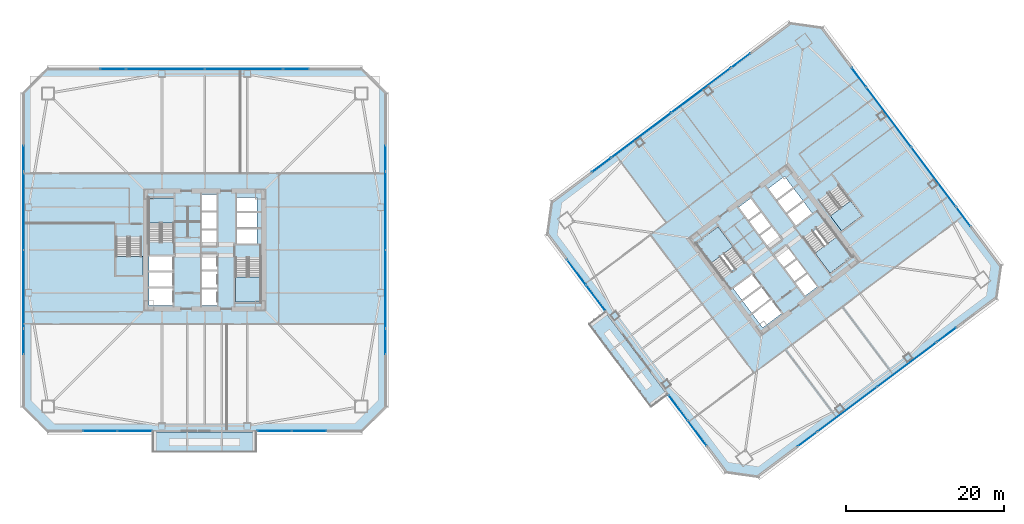
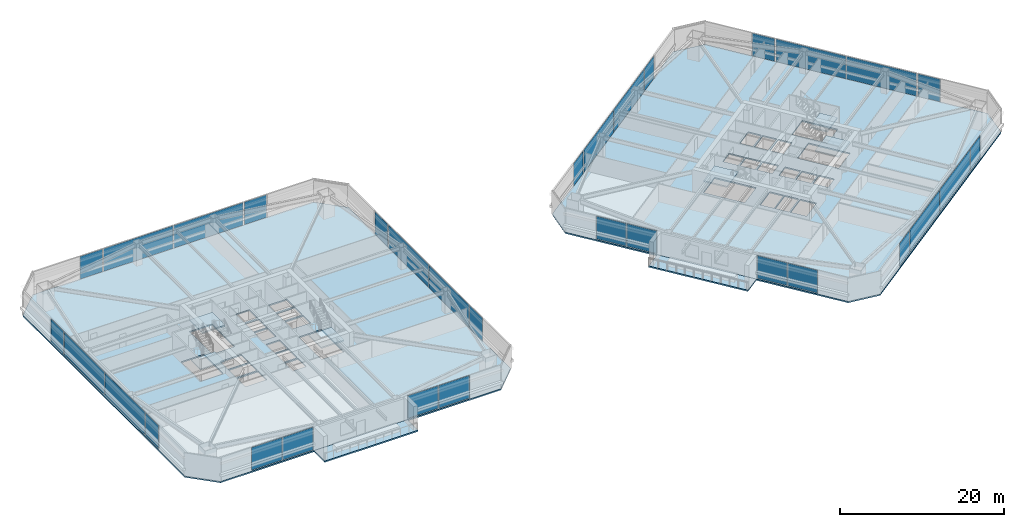
# One storey, part 35 of 46: 32 plates, 10 slabs, 28 elements without a shape of their own.
"""IFC4 building model written with IfcOpenShell, lengths in metres."""

from ifc_helpers import new_model, si_unit, direction, frame, origin, origin_2d, place, context, subcontext, project, spatial, polyline, rectangle, outline, extrude, material, layer, layer_set, type_object, element, aggregate, save


model = new_model("IFC4")

# Units and contexts
model_context = context("Model", 3, precision=1e-05, world=origin(), true_north=direction((0.0, 1.0)))
body_context = subcontext(model_context, "Body", "Model", "MODEL_VIEW")
ifc_project = project(units=[si_unit("LENGTHUNIT", "METRE"), si_unit("AREAUNIT", "SQUARE_METRE"), si_unit("VOLUMEUNIT", "CUBIC_METRE"), si_unit("PLANEANGLEUNIT", "RADIAN"), si_unit("MASSUNIT", "GRAM", prefix="KILO")], contexts=[model_context])

# Site, building, storey
site_placement = place(None, origin())
site = spatial("IfcSite", under=ifc_project, at=site_placement, CompositionType="ELEMENT")
building_placement = place(site_placement, origin())
building = spatial("IfcBuilding", under=site, at=building_placement, Name="Tashvorn Skyway Center", CompositionType="ELEMENT")
storey_placement = place(building_placement, frame((0.0, 0.0, 60.10009765625)))
storey = spatial("IfcBuildingStorey", under=building, at=storey_placement, Name="L15", CompositionType="ELEMENT", Elevation=60.10009765625)

# Curtain wall, plates
ifc_material_1 = material(Name="Thermally broken bronze-anodized aluminium 6063-T6", Category="aluminium")
curtain_wall_type = type_object("IfcCurtainWallType", Name="CW-CW-Z1", PredefinedType="NOTDEFINED", material=ifc_material_1)
curtain_wall_1_placement = place(storey_placement, origin())
curtain_wall_1 = element("IfcCurtainWall", 1, at=curtain_wall_1_placement, inside=storey, type_object=curtain_wall_type, Name="Tower 1 L15 South Curtain Wall L Glazing Group 1", PredefinedType="NOTDEFINED")
ifc_material_2 = material(Name="Low-E solar-control double insulating safety glass", Category="glass")
ifc_layer_1 = layer(ifc_material_2, 0.048095703125)
ifc_layer_set_1 = layer_set([ifc_layer_1], Name="Low-E solar-control double insulating safety glass")
plate_type = type_object("IfcPlateType", Name="CWP-CW-Z1", PredefinedType="CURTAIN_PANEL", material=ifc_layer_set_1)
plate_1_placement = place(storey_placement, frame((55.21875, 9.1201171875, 0.0849609375), z_axis=(0.0, 0.0, 1.0), x_axis=(-1.0, 0.0, 0.0)))
plate_1 = element("IfcPlate", 2, at=plate_1_placement, type_object=plate_type, Name="CW-Z1 panel 1.1", PredefinedType="CURTAIN_PANEL", context=body_context, shape_type="SweptSolid", body=[
    extrude(rectangle(XDim=4.299072265625, YDim=0.048095703125, at=origin_2d()), origin(), (0.0, 0.0, 1.0), 3.3798828125),
])
plate_2_placement = place(storey_placement, frame((50.83447265625, 9.1201171875, 0.0849609375), z_axis=(0.0, 0.0, 1.0), x_axis=(-1.0, 0.0, 0.0)))
plate_2 = element("IfcPlate", 3, at=plate_2_placement, type_object=plate_type, Name="CW-Z1 panel 2.1", PredefinedType="CURTAIN_PANEL", context=body_context, shape_type="SweptSolid", body=[
    extrude(rectangle(XDim=4.299072265625, YDim=0.048095703125, at=origin_2d()), origin(), (0.0, 0.0, 1.0), 3.3798828125),
])
aggregate(curtain_wall_1, [plate_1, plate_2])

curtain_wall_2_placement = place(storey_placement, origin())
curtain_wall_2 = element("IfcCurtainWall", 4, at=curtain_wall_2_placement, inside=storey, type_object=curtain_wall_type, Name="Tower 1 L15 South Curtain Wall R Glazing Group 1", PredefinedType="NOTDEFINED")
plate_3_placement = place(storey_placement, frame((33.16552734375, 9.1201171875, 0.0849609375), z_axis=(0.0, 0.0, 1.0), x_axis=(-1.0, 0.0, 0.0)))
plate_3 = element("IfcPlate", 5, at=plate_3_placement, type_object=plate_type, Name="CW-Z1 panel 1.1", PredefinedType="CURTAIN_PANEL", context=body_context, shape_type="SweptSolid", body=[
    extrude(rectangle(XDim=4.299072265625, YDim=0.048095703125, at=origin_2d()), origin(), (0.0, 0.0, 1.0), 3.3798828125),
])
plate_4_placement = place(storey_placement, frame((28.78125, 9.1201171875, 0.0849609375), z_axis=(0.0, 0.0, 1.0), x_axis=(-1.0, 0.0, 0.0)))
plate_4 = element("IfcPlate", 6, at=plate_4_placement, type_object=plate_type, Name="CW-Z1 panel 2.1", PredefinedType="CURTAIN_PANEL", context=body_context, shape_type="SweptSolid", body=[
    extrude(rectangle(XDim=4.299072265625, YDim=0.048095703125, at=origin_2d()), origin(), (0.0, 0.0, 1.0), 3.3798828125),
])
aggregate(curtain_wall_2, [plate_3, plate_4])

# Curtain wall, plate
curtain_wall_3_placement = place(storey_placement, origin())
curtain_wall_3 = element("IfcCurtainWall", 7, at=curtain_wall_3_placement, inside=storey, type_object=curtain_wall_type, Name="Tower 1 L15 West Unitised Curtain Wall Glazing Group 1", PredefinedType="NOTDEFINED")
plate_5_placement = place(storey_placement, frame((19.1201171875, 20.4033203125, 0.0849609375), z_axis=(0.0, 0.0, 1.0), x_axis=(0.0, 1.0, 0.0)))
plate_5 = element("IfcPlate", 8, at=plate_5_placement, type_object=plate_type, Name="CW-Z1 panel 1.1", PredefinedType="CURTAIN_PANEL", context=body_context, shape_type="SweptSolid", body=[
    extrude(rectangle(XDim=3.143310546875, YDim=0.048095703125, at=origin_2d()), origin(), (0.0, 0.0, 1.0), 3.3798828125),
])
aggregate(curtain_wall_3, [plate_5])

# Curtain wall, plates
curtain_wall_4_placement = place(storey_placement, origin())
curtain_wall_4 = element("IfcCurtainWall", 9, at=curtain_wall_4_placement, inside=storey, type_object=curtain_wall_type, Name="Tower 1 L15 West Unitised Curtain Wall Glazing Group 2", PredefinedType="NOTDEFINED")
plate_6_placement = place(storey_placement, frame((19.1201171875, 27.05126953125, 0.0849609375), z_axis=(0.0, 0.0, 1.0), x_axis=(0.0, 1.0, 0.0)))
plate_6 = element("IfcPlate", 10, at=plate_6_placement, type_object=plate_type, Name="CW-Z1 panel 1.1", PredefinedType="CURTAIN_PANEL", context=body_context, shape_type="SweptSolid", body=[
    extrude(rectangle(XDim=9.8125, YDim=0.048095703125, at=origin_2d()), origin(), (0.0, 0.0, 1.0), 3.3798828125),
])
plate_7_placement = place(storey_placement, frame((19.1201171875, 36.94873046875, 0.0849609375), z_axis=(0.0, 0.0, 1.0), x_axis=(0.0, 1.0, 0.0)))
plate_7 = element("IfcPlate", 11, at=plate_7_placement, type_object=plate_type, Name="CW-Z1 panel 2.1", PredefinedType="CURTAIN_PANEL", context=body_context, shape_type="SweptSolid", body=[
    extrude(rectangle(XDim=9.8125, YDim=0.048095703125, at=origin_2d()), origin(), (0.0, 0.0, 1.0), 3.3798828125),
])
aggregate(curtain_wall_4, [plate_6, plate_7])

# Curtain wall, plate
curtain_wall_5_placement = place(storey_placement, origin())
curtain_wall_5 = element("IfcCurtainWall", 12, at=curtain_wall_5_placement, inside=storey, type_object=curtain_wall_type, Name="Tower 1 L15 West Unitised Curtain Wall Glazing Group 3", PredefinedType="NOTDEFINED")
plate_8_placement = place(storey_placement, frame((19.1201171875, 43.5966796875, 0.0849609375), z_axis=(0.0, 0.0, 1.0), x_axis=(0.0, 1.0, 0.0)))
plate_8 = element("IfcPlate", 13, at=plate_8_placement, type_object=plate_type, Name="CW-Z1 panel 1.1", PredefinedType="CURTAIN_PANEL", context=body_context, shape_type="SweptSolid", body=[
    extrude(rectangle(XDim=3.143310546875, YDim=0.048095703125, at=origin_2d()), origin(), (0.0, 0.0, 1.0), 3.3798828125),
])
aggregate(curtain_wall_5, [plate_8])

curtain_wall_6_placement = place(storey_placement, origin())
curtain_wall_6 = element("IfcCurtainWall", 14, at=curtain_wall_6_placement, inside=storey, type_object=curtain_wall_type, Name="Tower 1 L15 North Unitised Curtain Wall Glazing Group 1", PredefinedType="NOTDEFINED")
plate_9_placement = place(storey_placement, frame((30.4033203125, 54.8798828125, 0.0849609375), z_axis=(0.0, 0.0, 1.0), x_axis=(1.0, 0.0, 0.0)))
plate_9 = element("IfcPlate", 15, at=plate_9_placement, type_object=plate_type, Name="CW-Z1 panel 1.1", PredefinedType="CURTAIN_PANEL", context=body_context, shape_type="SweptSolid", body=[
    extrude(rectangle(XDim=3.143310546875, YDim=0.048095703125, at=origin_2d()), origin(), (0.0, 0.0, 1.0), 3.3798828125),
])
aggregate(curtain_wall_6, [plate_9])

# Curtain wall, plates
curtain_wall_7_placement = place(storey_placement, origin())
curtain_wall_7 = element("IfcCurtainWall", 16, at=curtain_wall_7_placement, inside=storey, type_object=curtain_wall_type, Name="Tower 1 L15 North Unitised Curtain Wall Glazing Group 2", PredefinedType="NOTDEFINED")
plate_10_placement = place(storey_placement, frame((37.05126953125, 54.8798828125, 0.0849609375), z_axis=(0.0, 0.0, 1.0), x_axis=(1.0, 0.0, 0.0)))
plate_10 = element("IfcPlate", 17, at=plate_10_placement, type_object=plate_type, Name="CW-Z1 panel 1.1", PredefinedType="CURTAIN_PANEL", context=body_context, shape_type="SweptSolid", body=[
    extrude(rectangle(XDim=9.8125, YDim=0.048095703125, at=origin_2d()), origin(), (0.0, 0.0, 1.0), 3.3798828125),
])
plate_11_placement = place(storey_placement, frame((46.94873046875, 54.8798828125, 0.0849609375), z_axis=(0.0, 0.0, 1.0), x_axis=(1.0, 0.0, 0.0)))
plate_11 = element("IfcPlate", 18, at=plate_11_placement, type_object=plate_type, Name="CW-Z1 panel 2.1", PredefinedType="CURTAIN_PANEL", context=body_context, shape_type="SweptSolid", body=[
    extrude(rectangle(XDim=9.8125, YDim=0.048095703125, at=origin_2d()), origin(), (0.0, 0.0, 1.0), 3.3798828125),
])
aggregate(curtain_wall_7, [plate_10, plate_11])

# Curtain wall, plate
curtain_wall_8_placement = place(storey_placement, origin())
curtain_wall_8 = element("IfcCurtainWall", 19, at=curtain_wall_8_placement, inside=storey, type_object=curtain_wall_type, Name="Tower 1 L15 North Unitised Curtain Wall Glazing Group 3", PredefinedType="NOTDEFINED")
plate_12_placement = place(storey_placement, frame((53.5966796875, 54.8798828125, 0.0849609375), z_axis=(0.0, 0.0, 1.0), x_axis=(1.0, 0.0, 0.0)))
plate_12 = element("IfcPlate", 20, at=plate_12_placement, type_object=plate_type, Name="CW-Z1 panel 1.1", PredefinedType="CURTAIN_PANEL", context=body_context, shape_type="SweptSolid", body=[
    extrude(rectangle(XDim=3.143310546875, YDim=0.048095703125, at=origin_2d()), origin(), (0.0, 0.0, 1.0), 3.3798828125),
])
aggregate(curtain_wall_8, [plate_12])

curtain_wall_9_placement = place(storey_placement, origin())
curtain_wall_9 = element("IfcCurtainWall", 21, at=curtain_wall_9_placement, inside=storey, type_object=curtain_wall_type, Name="Tower 1 L15 East Unitised Curtain Wall Glazing Group 1", PredefinedType="NOTDEFINED")
plate_13_placement = place(storey_placement, frame((64.8798828125, 43.5966796875, 0.0849609375), z_axis=(0.0, 0.0, 1.0), x_axis=(0.0, -1.0, 0.0)))
plate_13 = element("IfcPlate", 22, at=plate_13_placement, type_object=plate_type, Name="CW-Z1 panel 1.1", PredefinedType="CURTAIN_PANEL", context=body_context, shape_type="SweptSolid", body=[
    extrude(rectangle(XDim=3.143310546875, YDim=0.048095703125, at=origin_2d()), origin(), (0.0, 0.0, 1.0), 3.3798828125),
])
aggregate(curtain_wall_9, [plate_13])

# Curtain wall, plates
curtain_wall_10_placement = place(storey_placement, origin())
curtain_wall_10 = element("IfcCurtainWall", 23, at=curtain_wall_10_placement, inside=storey, type_object=curtain_wall_type, Name="Tower 1 L15 East Unitised Curtain Wall Glazing Group 2", PredefinedType="NOTDEFINED")
plate_14_placement = place(storey_placement, frame((64.8798828125, 36.94873046875, 0.0849609375), z_axis=(0.0, 0.0, 1.0), x_axis=(0.0, -1.0, 0.0)))
plate_14 = element("IfcPlate", 24, at=plate_14_placement, type_object=plate_type, Name="CW-Z1 panel 1.1", PredefinedType="CURTAIN_PANEL", context=body_context, shape_type="SweptSolid", body=[
    extrude(rectangle(XDim=9.8125, YDim=0.048095703125, at=origin_2d()), origin(), (0.0, 0.0, 1.0), 3.3798828125),
])
plate_15_placement = place(storey_placement, frame((64.8798828125, 27.05126953125, 0.0849609375), z_axis=(0.0, 0.0, 1.0), x_axis=(0.0, -1.0, 0.0)))
plate_15 = element("IfcPlate", 25, at=plate_15_placement, type_object=plate_type, Name="CW-Z1 panel 2.1", PredefinedType="CURTAIN_PANEL", context=body_context, shape_type="SweptSolid", body=[
    extrude(rectangle(XDim=9.8125, YDim=0.048095703125, at=origin_2d()), origin(), (0.0, 0.0, 1.0), 3.3798828125),
])
aggregate(curtain_wall_10, [plate_14, plate_15])

# Curtain wall, plate
curtain_wall_11_placement = place(storey_placement, origin())
curtain_wall_11 = element("IfcCurtainWall", 26, at=curtain_wall_11_placement, inside=storey, type_object=curtain_wall_type, Name="Tower 1 L15 East Unitised Curtain Wall Glazing Group 3", PredefinedType="NOTDEFINED")
plate_16_placement = place(storey_placement, frame((64.8798828125, 20.4033203125, 0.0849609375), z_axis=(0.0, 0.0, 1.0), x_axis=(0.0, -1.0, 0.0)))
plate_16 = element("IfcPlate", 27, at=plate_16_placement, type_object=plate_type, Name="CW-Z1 panel 1.1", PredefinedType="CURTAIN_PANEL", context=body_context, shape_type="SweptSolid", body=[
    extrude(rectangle(XDim=3.143310546875, YDim=0.048095703125, at=origin_2d()), origin(), (0.0, 0.0, 1.0), 3.3798828125),
])
aggregate(curtain_wall_11, [plate_16])

curtain_wall_12_placement = place(storey_placement, origin())
curtain_wall_12 = element("IfcCurtainWall", 28, at=curtain_wall_12_placement, inside=storey, type_object=curtain_wall_type, Name="Tower 2 L15 South Unitised Curtain Wall Glazing Group 1", PredefinedType="NOTDEFINED")
plate_17_placement = place(storey_placement, frame((135.818603515625, 21.263916015625, 0.0849609375), z_axis=(0.0, 0.0, 1.0), x_axis=(-0.799996186392, -0.600005084776, 0.0)))
plate_17 = element("IfcPlate", 29, at=plate_17_placement, type_object=plate_type, Name="CW-Z1 panel 1.1", PredefinedType="CURTAIN_PANEL", context=body_context, shape_type="SweptSolid", body=[
    extrude(rectangle(XDim=2.9765625, YDim=0.048095703125, at=origin_2d()), origin(), (0.0, 0.0, 1.0), 3.3798828125),
])
aggregate(curtain_wall_12, [plate_17])

# Curtain wall, plates
curtain_wall_13_placement = place(storey_placement, origin())
curtain_wall_13 = element("IfcCurtainWall", 30, at=curtain_wall_13_placement, inside=storey, type_object=curtain_wall_type, Name="Tower 2 L15 South Unitised Curtain Wall Glazing Group 2", PredefinedType="NOTDEFINED")
plate_18_placement = place(storey_placement, frame((130.76708984375, 17.475341796875, 0.0849609375), z_axis=(0.0, 0.0, 1.0), x_axis=(-0.799999999998, -0.600000000002, 0.0)))
plate_18 = element("IfcPlate", 31, at=plate_18_placement, type_object=plate_type, Name="CW-Z1 panel 1.1", PredefinedType="CURTAIN_PANEL", context=body_context, shape_type="SweptSolid", body=[
    extrude(rectangle(XDim=9.3125, YDim=0.048095703125, at=origin_2d()), origin(), (0.0, 0.0, 1.0), 3.3798828125),
])
plate_19_placement = place(storey_placement, frame((123.2490234375, 11.836669921875, 0.0849609375), z_axis=(0.0, 0.0, 1.0), x_axis=(-0.799999999998, -0.600000000002, 0.0)))
plate_19 = element("IfcPlate", 32, at=plate_19_placement, type_object=plate_type, Name="CW-Z1 panel 2.1", PredefinedType="CURTAIN_PANEL", context=body_context, shape_type="SweptSolid", body=[
    extrude(rectangle(XDim=9.3125, YDim=0.048095703125, at=origin_2d()), origin(), (0.0, 0.0, 1.0), 3.3798828125),
])
aggregate(curtain_wall_13, [plate_18, plate_19])

# Curtain wall, plate
curtain_wall_14_placement = place(storey_placement, origin())
curtain_wall_14 = element("IfcCurtainWall", 33, at=curtain_wall_14_placement, inside=storey, type_object=curtain_wall_type, Name="Tower 2 L15 South Unitised Curtain Wall Glazing Group 3", PredefinedType="NOTDEFINED")
plate_20_placement = place(storey_placement, frame((118.197265625, 8.048095703125, 0.0849609375), z_axis=(0.0, 0.0, 1.0), x_axis=(-0.799996186392, -0.600005084776, 0.0)))
plate_20 = element("IfcPlate", 34, at=plate_20_placement, type_object=plate_type, Name="CW-Z1 panel 1.1", PredefinedType="CURTAIN_PANEL", context=body_context, shape_type="SweptSolid", body=[
    extrude(rectangle(XDim=2.9765625, YDim=0.048095703125, at=origin_2d()), origin(), (0.0, 0.0, 1.0), 3.3798828125),
])
aggregate(curtain_wall_14, [plate_20])

# Curtain wall, plates
curtain_wall_15_placement = place(storey_placement, origin())
curtain_wall_15 = element("IfcCurtainWall", 35, at=curtain_wall_15_placement, inside=storey, type_object=curtain_wall_type, Name="Tower 2 L15 West Curtain Wall L Glazing Group 1", PredefinedType="NOTDEFINED")
plate_21_placement = place(storey_placement, frame((104.287353515625, 8.817138671875, 0.0849609375), z_axis=(0.0, 0.0, 1.0), x_axis=(-0.600001954406, 0.799998534192, 0.0)))
plate_21 = element("IfcPlate", 36, at=plate_21_placement, type_object=plate_type, Name="CW-Z1 panel 1.1", PredefinedType="CURTAIN_PANEL", context=body_context, shape_type="SweptSolid", body=[
    extrude(rectangle(XDim=3.9658203125, YDim=0.048095703125, at=origin_2d()), origin(), (0.0, 0.0, 1.0), 3.3798828125),
])
plate_22_placement = place(storey_placement, frame((101.856689453125, 12.0576171875, 0.0849609375), z_axis=(0.0, 0.0, 1.0), x_axis=(-0.600001954406, 0.799998534192, 0.0)))
plate_22 = element("IfcPlate", 37, at=plate_22_placement, type_object=plate_type, Name="CW-Z1 panel 2.1", PredefinedType="CURTAIN_PANEL", context=body_context, shape_type="SweptSolid", body=[
    extrude(rectangle(XDim=3.9658203125, YDim=0.048095703125, at=origin_2d()), origin(), (0.0, 0.0, 1.0), 3.3798828125),
])
aggregate(curtain_wall_15, [plate_21, plate_22])

curtain_wall_16_placement = place(storey_placement, origin())
curtain_wall_16 = element("IfcCurtainWall", 38, at=curtain_wall_16_placement, inside=storey, type_object=curtain_wall_type, Name="Tower 2 L15 West Curtain Wall R Glazing Group 1", PredefinedType="NOTDEFINED")
plate_23_placement = place(storey_placement, frame((91.455322265625, 25.92626953125, 0.0849609375), z_axis=(0.0, 0.0, 1.0), x_axis=(-0.600001954406, 0.799998534192, 0.0)))
plate_23 = element("IfcPlate", 39, at=plate_23_placement, type_object=plate_type, Name="CW-Z1 panel 1.1", PredefinedType="CURTAIN_PANEL", context=body_context, shape_type="SweptSolid", body=[
    extrude(rectangle(XDim=3.9658203125, YDim=0.048095703125, at=origin_2d()), origin(), (0.0, 0.0, 1.0), 3.3798828125),
])
plate_24_placement = place(storey_placement, frame((89.024658203125, 29.1669921875, 0.0849609375), z_axis=(0.0, 0.0, 1.0), x_axis=(-0.600001954406, 0.799998534192, 0.0)))
plate_24 = element("IfcPlate", 40, at=plate_24_placement, type_object=plate_type, Name="CW-Z1 panel 2.1", PredefinedType="CURTAIN_PANEL", context=body_context, shape_type="SweptSolid", body=[
    extrude(rectangle(XDim=3.9658203125, YDim=0.048095703125, at=origin_2d()), origin(), (0.0, 0.0, 1.0), 3.3798828125),
])
aggregate(curtain_wall_16, [plate_23, plate_24])

# Curtain wall, plate
curtain_wall_17_placement = place(storey_placement, origin())
curtain_wall_17 = element("IfcCurtainWall", 41, at=curtain_wall_17_placement, inside=storey, type_object=curtain_wall_type, Name="Tower 2 L15 North Unitised Curtain Wall Glazing Group 1", PredefinedType="NOTDEFINED")
plate_25_placement = place(storey_placement, frame((92.181396484375, 42.736083984375, 0.0849609375), z_axis=(0.0, 0.0, 1.0), x_axis=(0.799996186392, 0.600005084776, 0.0)))
plate_25 = element("IfcPlate", 42, at=plate_25_placement, type_object=plate_type, Name="CW-Z1 panel 1.1", PredefinedType="CURTAIN_PANEL", context=body_context, shape_type="SweptSolid", body=[
    extrude(rectangle(XDim=2.9765625, YDim=0.048095703125, at=origin_2d()), origin(), (0.0, 0.0, 1.0), 3.3798828125),
])
aggregate(curtain_wall_17, [plate_25])

# Curtain wall, plates
curtain_wall_18_placement = place(storey_placement, origin())
curtain_wall_18 = element("IfcCurtainWall", 43, at=curtain_wall_18_placement, inside=storey, type_object=curtain_wall_type, Name="Tower 2 L15 North Unitised Curtain Wall Glazing Group 2", PredefinedType="NOTDEFINED")
plate_26_placement = place(storey_placement, frame((97.23291015625, 46.524658203125, 0.0849609375), z_axis=(0.0, 0.0, 1.0), x_axis=(0.799999999998, 0.600000000002, 0.0)))
plate_26 = element("IfcPlate", 44, at=plate_26_placement, type_object=plate_type, Name="CW-Z1 panel 1.1", PredefinedType="CURTAIN_PANEL", context=body_context, shape_type="SweptSolid", body=[
    extrude(rectangle(XDim=9.3125, YDim=0.048095703125, at=origin_2d()), origin(), (0.0, 0.0, 1.0), 3.3798828125),
])
plate_27_placement = place(storey_placement, frame((104.7509765625, 52.163330078125, 0.0849609375), z_axis=(0.0, 0.0, 1.0), x_axis=(0.799999999998, 0.600000000002, 0.0)))
plate_27 = element("IfcPlate", 45, at=plate_27_placement, type_object=plate_type, Name="CW-Z1 panel 2.1", PredefinedType="CURTAIN_PANEL", context=body_context, shape_type="SweptSolid", body=[
    extrude(rectangle(XDim=9.3125, YDim=0.048095703125, at=origin_2d()), origin(), (0.0, 0.0, 1.0), 3.3798828125),
])
aggregate(curtain_wall_18, [plate_26, plate_27])

# Curtain wall, plate
curtain_wall_19_placement = place(storey_placement, origin())
curtain_wall_19 = element("IfcCurtainWall", 46, at=curtain_wall_19_placement, inside=storey, type_object=curtain_wall_type, Name="Tower 2 L15 North Unitised Curtain Wall Glazing Group 3", PredefinedType="NOTDEFINED")
plate_28_placement = place(storey_placement, frame((109.802734375, 55.951904296875, 0.0849609375), z_axis=(0.0, 0.0, 1.0), x_axis=(0.799996186392, 0.600005084776, 0.0)))
plate_28 = element("IfcPlate", 47, at=plate_28_placement, type_object=plate_type, Name="CW-Z1 panel 1.1", PredefinedType="CURTAIN_PANEL", context=body_context, shape_type="SweptSolid", body=[
    extrude(rectangle(XDim=2.9765625, YDim=0.048095703125, at=origin_2d()), origin(), (0.0, 0.0, 1.0), 3.3798828125),
])
aggregate(curtain_wall_19, [plate_28])

curtain_wall_20_placement = place(storey_placement, origin())
curtain_wall_20 = element("IfcCurtainWall", 48, at=curtain_wall_20_placement, inside=storey, type_object=curtain_wall_type, Name="Tower 2 L15 East Unitised Curtain Wall Glazing Group 1", PredefinedType="NOTDEFINED")
plate_29_placement = place(storey_placement, frame((124.736083984375, 53.818603515625, 0.0849609375), z_axis=(0.0, 0.0, 1.0), x_axis=(0.600005084776, -0.799996186392, 0.0)))
plate_29 = element("IfcPlate", 49, at=plate_29_placement, type_object=plate_type, Name="CW-Z1 panel 1.1", PredefinedType="CURTAIN_PANEL", context=body_context, shape_type="SweptSolid", body=[
    extrude(rectangle(XDim=2.9765625, YDim=0.048095703125, at=origin_2d()), origin(), (0.0, 0.0, 1.0), 3.3798828125),
])
aggregate(curtain_wall_20, [plate_29])

# Curtain wall, plates
curtain_wall_21_placement = place(storey_placement, origin())
curtain_wall_21 = element("IfcCurtainWall", 50, at=curtain_wall_21_placement, inside=storey, type_object=curtain_wall_type, Name="Tower 2 L15 East Unitised Curtain Wall Glazing Group 2", PredefinedType="NOTDEFINED")
plate_30_placement = place(storey_placement, frame((128.524658203125, 48.76708984375, 0.0849609375), z_axis=(0.0, 0.0, 1.0), x_axis=(0.600000000002, -0.799999999998, 0.0)))
plate_30 = element("IfcPlate", 51, at=plate_30_placement, type_object=plate_type, Name="CW-Z1 panel 1.1", PredefinedType="CURTAIN_PANEL", context=body_context, shape_type="SweptSolid", body=[
    extrude(rectangle(XDim=9.3125, YDim=0.048095703125, at=origin_2d()), origin(), (0.0, 0.0, 1.0), 3.3798828125),
])
plate_31_placement = place(storey_placement, frame((134.163330078125, 41.2490234375, 0.0849609375), z_axis=(0.0, 0.0, 1.0), x_axis=(0.600000000002, -0.799999999998, 0.0)))
plate_31 = element("IfcPlate", 52, at=plate_31_placement, type_object=plate_type, Name="CW-Z1 panel 2.1", PredefinedType="CURTAIN_PANEL", context=body_context, shape_type="SweptSolid", body=[
    extrude(rectangle(XDim=9.3125, YDim=0.048095703125, at=origin_2d()), origin(), (0.0, 0.0, 1.0), 3.3798828125),
])
aggregate(curtain_wall_21, [plate_30, plate_31])

# Curtain wall, plate
curtain_wall_22_placement = place(storey_placement, origin())
curtain_wall_22 = element("IfcCurtainWall", 53, at=curtain_wall_22_placement, inside=storey, type_object=curtain_wall_type, Name="Tower 2 L15 East Unitised Curtain Wall Glazing Group 3", PredefinedType="NOTDEFINED")
plate_32_placement = place(storey_placement, frame((137.951904296875, 36.197265625, 0.0849609375), z_axis=(0.0, 0.0, 1.0), x_axis=(0.600005084776, -0.799996186392, 0.0)))
plate_32 = element("IfcPlate", 54, at=plate_32_placement, type_object=plate_type, Name="CW-Z1 panel 1.1", PredefinedType="CURTAIN_PANEL", context=body_context, shape_type="SweptSolid", body=[
    extrude(rectangle(XDim=2.9765625, YDim=0.048095703125, at=origin_2d()), origin(), (0.0, 0.0, 1.0), 3.3798828125),
])
aggregate(curtain_wall_22, [plate_32])

# Slabs
ifc_material_3 = material(Name="Concrete C40/50", Category="concrete")
ifc_layer_2 = layer(ifc_material_3, 0.199951171875)
ifc_layer_set_2 = layer_set([ifc_layer_2], Name="Concrete C40/50")
slab_type_1 = type_object("IfcSlabType", Name="SLAB-FLR-200", PredefinedType="FLOOR", material=ifc_layer_set_2)
slab_1_placement = place(storey_placement, frame((0.0, 0.0, -0.2001953125)))
element("IfcSlab", 55, at=slab_1_placement, inside=storey, type_object=slab_type_1, Name="Tower 1 L15 Composite Floor Slab", PredefinedType="FLOOR", context=body_context, shape_type="SweptSolid", body=[
    extrude(outline(polyline([(22.199951171875, 9.0), (61.800048828125, 9.0), (65.0, 12.199951171875), (65.0, 51.800048828125), (61.800048828125, 55.0), (22.199951171875, 55.0), (19.0, 51.800048828125), (19.0, 12.199951171875), (22.199951171875, 9.0)]), holes=[polyline([(38.10009765625, 33.080078125), (38.10009765625, 38.60009765625), (34.89990234375, 38.60009765625), (34.89990234375, 33.080078125), (38.10009765625, 33.080078125)]), polyline([(45.89990234375, 30.919921875), (45.89990234375, 25.39990234375), (49.10009765625, 25.39990234375), (49.10009765625, 30.919921875), (45.89990234375, 30.919921875)]), polyline([(30.800048828125, 33.52001953125), (30.800048828125, 28.800048828125), (34.0, 28.800048828125), (34.0, 33.52001953125), (30.800048828125, 33.52001953125)]), polyline([(34.949951171875, 29.35009765625), (37.949951171875, 29.35009765625), (37.949951171875, 31.199951171875), (34.949951171875, 31.199951171875), (34.949951171875, 29.35009765625)]), polyline([(34.949951171875, 27.35009765625), (37.949951171875, 27.35009765625), (37.949951171875, 29.199951171875), (34.949951171875, 29.199951171875), (34.949951171875, 27.35009765625)]), polyline([(34.949951171875, 25.0), (37.949951171875, 25.0), (37.949951171875, 27.14990234375), (34.949951171875, 27.14990234375), (34.949951171875, 25.0)]), polyline([(41.64990234375, 25.0), (43.550048828125, 25.0), (43.550048828125, 27.050048828125), (41.64990234375, 27.050048828125), (41.64990234375, 25.0)]), polyline([(41.64990234375, 27.25), (43.550048828125, 27.25), (43.550048828125, 29.300048828125), (41.64990234375, 29.300048828125), (41.64990234375, 27.25)]), polyline([(41.64990234375, 29.5), (43.550048828125, 29.5), (43.550048828125, 31.550048828125), (41.64990234375, 31.550048828125), (41.64990234375, 29.5)]), polyline([(41.64990234375, 32.449951171875), (43.550048828125, 32.449951171875), (43.550048828125, 34.5), (41.64990234375, 34.5), (41.64990234375, 32.449951171875)]), polyline([(41.64990234375, 34.699951171875), (43.550048828125, 34.699951171875), (43.550048828125, 36.75), (41.64990234375, 36.75), (41.64990234375, 34.699951171875)]), polyline([(41.64990234375, 36.949951171875), (43.550048828125, 36.949951171875), (43.550048828125, 39.0), (41.64990234375, 39.0), (41.64990234375, 36.949951171875)]), polyline([(46.050048828125, 32.800048828125), (48.64990234375, 32.800048828125), (48.64990234375, 34.64990234375), (46.050048828125, 34.64990234375), (46.050048828125, 32.800048828125)]), polyline([(46.050048828125, 34.85009765625), (48.64990234375, 34.85009765625), (48.64990234375, 36.699951171875), (46.050048828125, 36.699951171875), (46.050048828125, 34.85009765625)]), polyline([(46.050048828125, 36.89990234375), (48.64990234375, 36.89990234375), (48.64990234375, 38.64990234375), (46.050048828125, 38.64990234375), (46.050048828125, 36.89990234375)])]), origin(), (0.0, 0.0, 1.0), 0.2001953125),
])
slab_2_placement = place(storey_placement, frame((0.0, 0.0, -0.2001953125)))
element("IfcSlab", 56, at=slab_2_placement, inside=storey, type_object=slab_type_1, Name="Tower 2 L15 Composite Floor Slab", PredefinedType="FLOOR", context=body_context, shape_type="SweptSolid", body=[
    extrude(outline(polyline([(112.0400390625, 3.280029296875), (142.1201171875, 25.840087890625), (142.719970703125, 30.0400390625), (120.159912109375, 60.1201171875), (115.9599609375, 60.719970703125), (85.8798828125, 38.159912109375), (85.280029296875, 33.9599609375), (107.840087890625, 3.8798828125), (112.0400390625, 3.280029296875)]), holes=[polyline([(110.23193359375, 30.52392578125), (106.919921875, 34.93994140625), (104.135986328125, 32.85205078125), (107.447998046875, 28.43603515625), (110.23193359375, 30.52392578125)]), polyline([(117.76806640625, 33.47607421875), (121.080078125, 29.06005859375), (123.864013671875, 31.14794921875), (120.552001953125, 35.56396484375), (117.76806640625, 33.47607421875)]), polyline([(119.7119140625, 38.18408203125), (122.5439453125, 34.407958984375), (125.10400390625, 36.327880859375), (122.27197265625, 40.10400390625), (119.7119140625, 38.18408203125)]), polyline([(109.949951171875, 25.64990234375), (112.35009765625, 27.449951171875), (111.239990234375, 28.929931640625), (108.840087890625, 27.1298828125), (109.949951171875, 25.64990234375)]), polyline([(111.14990234375, 24.050048828125), (113.550048828125, 25.85009765625), (112.43994140625, 27.330078125), (110.0400390625, 25.530029296875), (111.14990234375, 24.050048828125)]), polyline([(112.56005859375, 22.169921875), (114.9599609375, 23.969970703125), (113.669921875, 25.68994140625), (111.27001953125, 23.889892578125), (112.56005859375, 22.169921875)]), polyline([(117.919921875, 26.18994140625), (119.43994140625, 27.330078125), (118.2099609375, 28.969970703125), (116.68994140625, 27.830078125), (117.919921875, 26.18994140625)]), polyline([(116.570068359375, 27.989990234375), (118.090087890625, 29.1298828125), (116.860107421875, 30.77001953125), (115.340087890625, 29.6298828125), (116.570068359375, 27.989990234375)]), polyline([(115.219970703125, 29.7900390625), (116.739990234375, 30.929931640625), (115.510009765625, 32.570068359375), (113.989990234375, 31.429931640625), (115.219970703125, 29.7900390625)]), polyline([(113.449951171875, 32.14990234375), (114.969970703125, 33.2900390625), (113.739990234375, 34.929931640625), (112.219970703125, 33.7900390625), (113.449951171875, 32.14990234375)]), polyline([(112.10009765625, 33.949951171875), (113.6201171875, 35.090087890625), (112.389892578125, 36.72998046875), (110.8701171875, 35.590087890625), (112.10009765625, 33.949951171875)]), polyline([(110.75, 35.75), (112.27001953125, 36.889892578125), (111.0400390625, 38.530029296875), (109.52001953125, 37.389892578125), (110.75, 35.75)]), polyline([(116.760009765625, 35.070068359375), (118.840087890625, 36.6298828125), (117.72998046875, 38.110107421875), (115.64990234375, 36.550048828125), (116.760009765625, 35.070068359375)]), polyline([(115.530029296875, 36.7099609375), (117.610107421875, 38.27001953125), (116.5, 39.75), (114.419921875, 38.18994140625), (115.530029296875, 36.7099609375)]), polyline([(114.300048828125, 38.35009765625), (116.3798828125, 39.909912109375), (115.330078125, 41.31005859375), (113.25, 39.75), (114.300048828125, 38.35009765625)])]), origin(), (0.0, 0.0, 1.0), 0.2001953125),
])

# Stair, slab
stair_type = type_object("IfcStairType", Name="STAIR-CORE-1500", PredefinedType="HALF_TURN_STAIR", material=ifc_material_3)
stair_1_placement = place(storey_placement, origin())
stair_1 = element("IfcStair", 57, at=stair_1_placement, inside=storey, type_object=stair_type, Name="L15 Tower 1 Exit Stair 1", PredefinedType="HALF_TURN_STAIR")
ifc_layer_3 = layer(ifc_material_3, 0.199951171875)
ifc_layer_set_3 = layer_set([ifc_layer_3], Name="Concrete C40/50")
slab_type_2 = type_object("IfcSlabType", Name="SLAB-LAND-200", PredefinedType="LANDING", material=ifc_layer_set_3)
slab_3_placement = place(storey_placement, frame((0.0, 0.0, 1.574951171875)))
slab_3 = element("IfcSlab", 58, at=slab_3_placement, type_object=slab_type_2, Name="ST-T1-1 landing 1", PredefinedType="LANDING", context=body_context, shape_type="SweptSolid", body=[
    extrude(outline(polyline([(38.10009765625, 35.43994140625), (38.10009765625, 38.60009765625), (34.89990234375, 38.60009765625), (34.89990234375, 35.43994140625), (38.10009765625, 35.43994140625)])), origin(), (0.0, 0.0, 1.0), 0.199951171875),
])
aggregate(stair_1, [slab_3])

stair_2_placement = place(storey_placement, origin())
stair_2 = element("IfcStair", 59, at=stair_2_placement, inside=storey, type_object=stair_type, Name="L15 Tower 1 Exit Stair 2", PredefinedType="HALF_TURN_STAIR")
slab_4_placement = place(storey_placement, frame((0.0, 0.0, 1.574951171875)))
slab_4 = element("IfcSlab", 60, at=slab_4_placement, type_object=slab_type_2, Name="ST-T1-2 landing 1", PredefinedType="LANDING", context=body_context, shape_type="SweptSolid", body=[
    extrude(outline(polyline([(45.89990234375, 28.56005859375), (45.89990234375, 25.39990234375), (49.10009765625, 25.39990234375), (49.10009765625, 28.56005859375), (45.89990234375, 28.56005859375)])), origin(), (0.0, 0.0, 1.0), 0.199951171875),
])
aggregate(stair_2, [slab_4])

stair_3_placement = place(storey_placement, origin())
stair_3 = element("IfcStair", 61, at=stair_3_placement, inside=storey, type_object=stair_type, Name="L15 Tower 2 Exit Stair 1", PredefinedType="HALF_TURN_STAIR")
slab_5_placement = place(storey_placement, frame((0.0, 0.0, 1.574951171875)))
slab_5 = element("IfcSlab", 62, at=slab_5_placement, type_object=slab_type_2, Name="ST-T2-1 landing 1", PredefinedType="LANDING", context=body_context, shape_type="SweptSolid", body=[
    extrude(outline(polyline([(108.82080078125, 32.405517578125), (106.919921875, 34.93994140625), (104.135986328125, 32.85205078125), (106.036865234375, 30.317626953125), (108.82080078125, 32.405517578125)])), origin(), (0.0, 0.0, 1.0), 0.199951171875),
])
aggregate(stair_3, [slab_5])

stair_4_placement = place(storey_placement, origin())
stair_4 = element("IfcStair", 63, at=stair_4_placement, inside=storey, type_object=stair_type, Name="L15 Tower 2 Exit Stair 2", PredefinedType="HALF_TURN_STAIR")
slab_6_placement = place(storey_placement, frame((0.0, 0.0, 1.574951171875)))
slab_6 = element("IfcSlab", 64, at=slab_6_placement, type_object=slab_type_2, Name="ST-T2-2 landing 1", PredefinedType="LANDING", context=body_context, shape_type="SweptSolid", body=[
    extrude(outline(polyline([(119.17919921875, 31.594482421875), (121.080078125, 29.06005859375), (123.864013671875, 31.14794921875), (121.963134765625, 33.682373046875), (119.17919921875, 31.594482421875)])), origin(), (0.0, 0.0, 1.0), 0.199951171875),
])
aggregate(stair_4, [slab_6])

stair_5_placement = place(storey_placement, origin())
stair_5 = element("IfcStair", 65, at=stair_5_placement, inside=storey, type_object=stair_type, Name="L15 Tower 1 Exit Stair 3", PredefinedType="HALF_TURN_STAIR")
slab_7_placement = place(storey_placement, frame((0.0, 0.0, 1.574951171875)))
slab_7 = element("IfcSlab", 66, at=slab_7_placement, type_object=slab_type_2, Name="ST-T1-3 landing 1", PredefinedType="LANDING", context=body_context, shape_type="SweptSolid", body=[
    extrude(outline(polyline([(30.800048828125, 31.159912109375), (30.800048828125, 28.800048828125), (34.199951171875, 28.800048828125), (34.199951171875, 31.159912109375), (30.800048828125, 31.159912109375)])), origin(), (0.0, 0.0, 1.0), 0.199951171875),
])
aggregate(stair_5, [slab_7])

stair_6_placement = place(storey_placement, origin())
stair_6 = element("IfcStair", 67, at=stair_6_placement, inside=storey, type_object=stair_type, Name="L15 Tower 2 Exit Stair 3", PredefinedType="HALF_TURN_STAIR")
slab_8_placement = place(storey_placement, frame((0.0, 0.0, 1.574951171875)))
slab_8 = element("IfcSlab", 68, at=slab_8_placement, type_object=slab_type_2, Name="ST-T2-3 landing 1", PredefinedType="LANDING", context=body_context, shape_type="SweptSolid", body=[
    extrude(outline(polyline([(121.123291015625, 36.302490234375), (122.5439453125, 34.407958984375), (125.10400390625, 36.327880859375), (123.68310546875, 38.222412109375), (121.123291015625, 36.302490234375)])), origin(), (0.0, 0.0, 1.0), 0.199951171875),
])
aggregate(stair_6, [slab_8])

# Slabs
ifc_layer_4 = layer(ifc_material_3, 0.179931640625)
ifc_layer_set_4 = layer_set([ifc_layer_4], Name="Concrete C40/50")
slab_type_3 = type_object("IfcSlabType", Name="SLAB-TERR-200", PredefinedType="FLOOR", material=ifc_layer_set_4)
slab_9_placement = place(storey_placement, frame((0.0, 0.0, -0.2001953125)))
element("IfcSlab", 69, at=slab_9_placement, inside=storey, type_object=slab_type_3, Name="Tower 1 L15 Sky Garden Slab", PredefinedType="FLOOR", context=body_context, shape_type="SweptSolid", body=[
    extrude(outline(polyline([(35.39990234375, 6.39990234375), (48.60009765625, 6.39990234375), (48.60009765625, 9.010009765625), (35.39990234375, 9.010009765625), (35.39990234375, 6.39990234375)])), origin(), (0.0, 0.0, 1.0), 0.2001953125),
])
slab_10_placement = place(storey_placement, frame((0.0, 0.0, -0.2001953125)))
element("IfcSlab", 70, at=slab_10_placement, inside=storey, type_object=slab_type_3, Name="Tower 2 L15 Sky Garden Slab", PredefinedType="FLOOR", context=body_context, shape_type="SweptSolid", body=[
    extrude(outline(polyline([(98.43994140625, 12.080078125), (100.528076171875, 13.64599609375), (92.60791015625, 24.2060546875), (90.52001953125, 22.639892578125), (98.43994140625, 12.080078125)])), origin(), (0.0, 0.0, 1.0), 0.2001953125),
])

save(model, "model.ifc")
